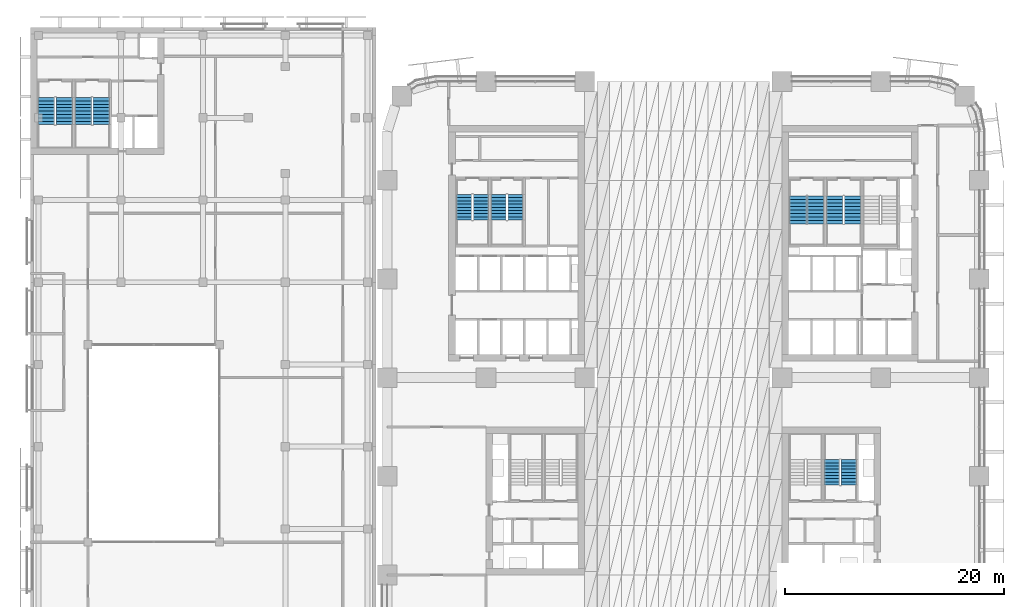
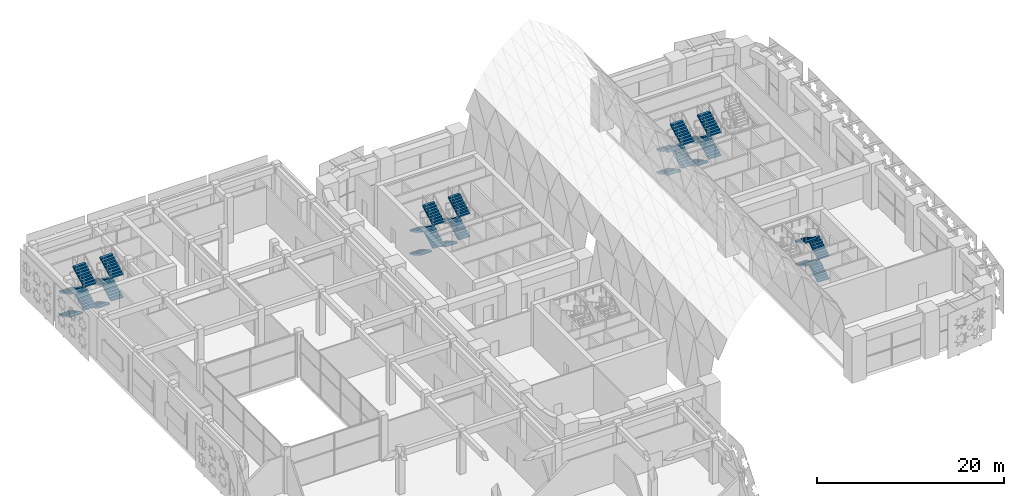
# One storey, part 24 of 46: 28 stair flights, 7 elements without a shape of their own.
"""IFC4 building model written with IfcOpenShell, lengths in metres."""

from ifc_helpers import new_model, si_unit, direction, frame, origin, place, context, subcontext, project, spatial, polyline, outline, extrude, material, type_object, element, aggregate, save


model = new_model("IFC4")

# Units and contexts
model_context = context("Model", 3, precision=1e-05, world=origin(), true_north=direction((0.0, 1.0)))
body_context = subcontext(model_context, "Body", "Model", "MODEL_VIEW")
ifc_project = project(units=[si_unit("LENGTHUNIT", "METRE"), si_unit("AREAUNIT", "SQUARE_METRE"), si_unit("VOLUMEUNIT", "CUBIC_METRE"), si_unit("PLANEANGLEUNIT", "RADIAN"), si_unit("MASSUNIT", "GRAM", prefix="KILO")], contexts=[model_context])

# Site, building, storey
site_placement = place(None, origin())
site = spatial("IfcSite", under=ifc_project, at=site_placement, CompositionType="ELEMENT")
building_placement = place(site_placement, origin())
building = spatial("IfcBuilding", under=site, at=building_placement, Name="Tessera Arch", CompositionType="ELEMENT")
storey_placement = place(building_placement, frame((0.0, 0.0, 8.0)))
storey = spatial("IfcBuildingStorey", under=building, at=storey_placement, Name="L01", CompositionType="ELEMENT", Elevation=8.0)

# Stair, stair flights
ifc_material_1 = material(Name="Concrete C40/50", Category="concrete")
stair_type_1 = type_object("IfcStairType", Name="Dogleg stair 1400", PredefinedType="HALF_TURN_STAIR", material=ifc_material_1)
stair_1_placement = place(storey_placement, origin())
stair_1 = element("IfcStair", 1, at=stair_1_placement, inside=storey, type_object=stair_type_1, Name="L01 S2a", PredefinedType="HALF_TURN_STAIR")
ifc_material_2 = material(Name="Concrete C40/50", Category="concrete")
stair_flight_type_1 = type_object("IfcStairFlightType", Name="Stair flight 1400", PredefinedType="STRAIGHT", material=ifc_material_2)
stair_flight_1_placement = place(storey_placement, frame((7.0, 43.699951171875, 0.0), z_axis=(0.0, 0.0, 1.0), x_axis=(0.0, -1.0, 0.0)))
stair_flight_1 = element("IfcStairFlight", 2, at=stair_flight_1_placement, type_object=stair_flight_type_1, Name="S2a flight 1", NumberOfRisers=9, NumberOfTreads=8, PredefinedType="STRAIGHT", RiserHeight=0.166666667, TreadLength=0.29, context=body_context, shape_type="SweptSolid", body=[
    extrude(outline(polyline([(0.0, 0.0), (0.0, 0.166748046875), (0.2900390625, 0.166748046875), (0.2900390625, 0.333251953125), (0.580078125, 0.333251953125), (0.580078125, 0.5), (0.8701171875, 0.5), (0.8701171875, 0.666748046875), (1.159912109375, 0.666748046875), (1.159912109375, 0.833251953125), (1.449951171875, 0.833251953125), (1.449951171875, 1.0), (1.739990234375, 1.0), (1.739990234375, 1.166748046875), (2.030029296875, 1.166748046875), (2.030029296875, 1.333251953125), (2.320068359375, 1.333251953125), (2.320068359375, 1.5), (2.320068359375, 1.160400390625), (0.30078125, 0.0), (0.0, 0.0)])), frame((0.0, 0.699951171875, 0.0), z_axis=(0.0, -1.0, 0.0), x_axis=(1.0, 0.0, 0.0)), (0.0, 0.0, 1.0), 1.39990234375),
])
stair_flight_2_placement = place(storey_placement, frame((8.550048828125, 41.3798828125, 1.5), z_axis=(0.0, 0.0, 1.0), x_axis=(0.0, 1.0, 0.0)))
stair_flight_2 = element("IfcStairFlight", 3, at=stair_flight_2_placement, type_object=stair_flight_type_1, Name="S2a flight 2", NumberOfRisers=9, NumberOfTreads=8, PredefinedType="STRAIGHT", RiserHeight=0.166666667, TreadLength=0.29, context=body_context, shape_type="SweptSolid", body=[
    extrude(outline(polyline([(0.0, 0.0), (0.0, 0.166748046875), (0.2900390625, 0.166748046875), (0.2900390625, 0.333251953125), (0.580078125, 0.333251953125), (0.580078125, 0.5), (0.8701171875, 0.5), (0.8701171875, 0.666748046875), (1.159912109375, 0.666748046875), (1.159912109375, 0.833251953125), (1.449951171875, 0.833251953125), (1.449951171875, 1.0), (1.739990234375, 1.0), (1.739990234375, 1.166748046875), (2.030029296875, 1.166748046875), (2.030029296875, 1.333251953125), (2.320068359375, 1.333251953125), (2.320068359375, 1.5), (2.320068359375, 1.160400390625), (0.30078125, 0.0), (0.0, 0.0)])), frame((0.0, 0.699951171875, 0.0), z_axis=(0.0, -1.0, 0.0), x_axis=(1.0, 0.0, 0.0)), (0.0, 0.0, 1.0), 1.39990234375),
])
stair_flight_3_placement = place(storey_placement, frame((7.0, 43.699951171875, 3.0), z_axis=(0.0, 0.0, 1.0), x_axis=(0.0, -1.0, 0.0)))
stair_flight_3 = element("IfcStairFlight", 4, at=stair_flight_3_placement, type_object=stair_flight_type_1, Name="S2a flight 3", NumberOfRisers=9, NumberOfTreads=8, PredefinedType="STRAIGHT", RiserHeight=0.166666667, TreadLength=0.29, context=body_context, shape_type="SweptSolid", body=[
    extrude(outline(polyline([(0.0, 0.0), (0.0, 0.166748046875), (0.2900390625, 0.166748046875), (0.2900390625, 0.333251953125), (0.580078125, 0.333251953125), (0.580078125, 0.5), (0.8701171875, 0.5), (0.8701171875, 0.666748046875), (1.159912109375, 0.666748046875), (1.159912109375, 0.833251953125), (1.449951171875, 0.833251953125), (1.449951171875, 1.0), (1.739990234375, 1.0), (1.739990234375, 1.166748046875), (2.030029296875, 1.166748046875), (2.030029296875, 1.333251953125), (2.320068359375, 1.333251953125), (2.320068359375, 1.5), (2.320068359375, 1.160400390625), (0.30078125, 0.0), (0.0, 0.0)])), frame((0.0, 0.699951171875, 0.0), z_axis=(0.0, -1.0, 0.0), x_axis=(1.0, 0.0, 0.0)), (0.0, 0.0, 1.0), 1.39990234375),
])
stair_flight_4_placement = place(storey_placement, frame((8.550048828125, 41.3798828125, 4.5), z_axis=(0.0, 0.0, 1.0), x_axis=(0.0, 1.0, 0.0)))
stair_flight_4 = element("IfcStairFlight", 5, at=stair_flight_4_placement, type_object=stair_flight_type_1, Name="S2a flight 4", NumberOfRisers=9, NumberOfTreads=8, PredefinedType="STRAIGHT", RiserHeight=0.166666667, TreadLength=0.29, context=body_context, shape_type="SweptSolid", body=[
    extrude(outline(polyline([(0.0, 0.0), (0.0, 0.166748046875), (0.2900390625, 0.166748046875), (0.2900390625, 0.333251953125), (0.580078125, 0.333251953125), (0.580078125, 0.5), (0.8701171875, 0.5), (0.8701171875, 0.666748046875), (1.159912109375, 0.666748046875), (1.159912109375, 0.833251953125), (1.449951171875, 0.833251953125), (1.449951171875, 1.0), (1.739990234375, 1.0), (1.739990234375, 1.166748046875), (2.030029296875, 1.166748046875), (2.030029296875, 1.333251953125), (2.320068359375, 1.333251953125), (2.320068359375, 1.5), (2.320068359375, 1.160400390625), (0.30078125, 0.0), (0.0, 0.0)])), frame((0.0, 0.699951171875, 0.0), z_axis=(0.0, -1.0, 0.0), x_axis=(1.0, 0.0, 0.0)), (0.0, 0.0, 1.0), 1.39990234375),
])
aggregate(stair_1, [stair_flight_1, stair_flight_2, stair_flight_3, stair_flight_4])

stair_2_placement = place(storey_placement, origin())
stair_2 = element("IfcStair", 6, at=stair_2_placement, inside=storey, type_object=stair_type_1, Name="L01 S2b", PredefinedType="HALF_TURN_STAIR")
stair_flight_5_placement = place(storey_placement, frame((10.14990234375, 43.699951171875, 0.0), z_axis=(0.0, 0.0, 1.0), x_axis=(0.0, -1.0, 0.0)))
stair_flight_5 = element("IfcStairFlight", 7, at=stair_flight_5_placement, type_object=stair_flight_type_1, Name="S2b flight 1", NumberOfRisers=9, NumberOfTreads=8, PredefinedType="STRAIGHT", RiserHeight=0.166666667, TreadLength=0.29, context=body_context, shape_type="SweptSolid", body=[
    extrude(outline(polyline([(0.0, 0.0), (0.0, 0.166748046875), (0.2900390625, 0.166748046875), (0.2900390625, 0.333251953125), (0.580078125, 0.333251953125), (0.580078125, 0.5), (0.8701171875, 0.5), (0.8701171875, 0.666748046875), (1.159912109375, 0.666748046875), (1.159912109375, 0.833251953125), (1.449951171875, 0.833251953125), (1.449951171875, 1.0), (1.739990234375, 1.0), (1.739990234375, 1.166748046875), (2.030029296875, 1.166748046875), (2.030029296875, 1.333251953125), (2.320068359375, 1.333251953125), (2.320068359375, 1.5), (2.320068359375, 1.160400390625), (0.30078125, 0.0), (0.0, 0.0)])), frame((0.0, 0.699951171875, 0.0), z_axis=(0.0, -1.0, 0.0), x_axis=(1.0, 0.0, 0.0)), (0.0, 0.0, 1.0), 1.39990234375),
])
stair_flight_6_placement = place(storey_placement, frame((11.699951171875, 41.3798828125, 1.5), z_axis=(0.0, 0.0, 1.0), x_axis=(0.0, 1.0, 0.0)))
stair_flight_6 = element("IfcStairFlight", 8, at=stair_flight_6_placement, type_object=stair_flight_type_1, Name="S2b flight 2", NumberOfRisers=9, NumberOfTreads=8, PredefinedType="STRAIGHT", RiserHeight=0.166666667, TreadLength=0.29, context=body_context, shape_type="SweptSolid", body=[
    extrude(outline(polyline([(0.0, 0.0), (0.0, 0.166748046875), (0.2900390625, 0.166748046875), (0.2900390625, 0.333251953125), (0.580078125, 0.333251953125), (0.580078125, 0.5), (0.8701171875, 0.5), (0.8701171875, 0.666748046875), (1.159912109375, 0.666748046875), (1.159912109375, 0.833251953125), (1.449951171875, 0.833251953125), (1.449951171875, 1.0), (1.739990234375, 1.0), (1.739990234375, 1.166748046875), (2.030029296875, 1.166748046875), (2.030029296875, 1.333251953125), (2.320068359375, 1.333251953125), (2.320068359375, 1.5), (2.320068359375, 1.160400390625), (0.30078125, 0.0), (0.0, 0.0)])), frame((0.0, 0.699951171875, 0.0), z_axis=(0.0, -1.0, 0.0), x_axis=(1.0, 0.0, 0.0)), (0.0, 0.0, 1.0), 1.39990234375),
])
stair_flight_7_placement = place(storey_placement, frame((10.14990234375, 43.699951171875, 3.0), z_axis=(0.0, 0.0, 1.0), x_axis=(0.0, -1.0, 0.0)))
stair_flight_7 = element("IfcStairFlight", 9, at=stair_flight_7_placement, type_object=stair_flight_type_1, Name="S2b flight 3", NumberOfRisers=9, NumberOfTreads=8, PredefinedType="STRAIGHT", RiserHeight=0.166666667, TreadLength=0.29, context=body_context, shape_type="SweptSolid", body=[
    extrude(outline(polyline([(0.0, 0.0), (0.0, 0.166748046875), (0.2900390625, 0.166748046875), (0.2900390625, 0.333251953125), (0.580078125, 0.333251953125), (0.580078125, 0.5), (0.8701171875, 0.5), (0.8701171875, 0.666748046875), (1.159912109375, 0.666748046875), (1.159912109375, 0.833251953125), (1.449951171875, 0.833251953125), (1.449951171875, 1.0), (1.739990234375, 1.0), (1.739990234375, 1.166748046875), (2.030029296875, 1.166748046875), (2.030029296875, 1.333251953125), (2.320068359375, 1.333251953125), (2.320068359375, 1.5), (2.320068359375, 1.160400390625), (0.30078125, 0.0), (0.0, 0.0)])), frame((0.0, 0.699951171875, 0.0), z_axis=(0.0, -1.0, 0.0), x_axis=(1.0, 0.0, 0.0)), (0.0, 0.0, 1.0), 1.39990234375),
])
stair_flight_8_placement = place(storey_placement, frame((11.699951171875, 41.3798828125, 4.5), z_axis=(0.0, 0.0, 1.0), x_axis=(0.0, 1.0, 0.0)))
stair_flight_8 = element("IfcStairFlight", 10, at=stair_flight_8_placement, type_object=stair_flight_type_1, Name="S2b flight 4", NumberOfRisers=9, NumberOfTreads=8, PredefinedType="STRAIGHT", RiserHeight=0.166666667, TreadLength=0.29, context=body_context, shape_type="SweptSolid", body=[
    extrude(outline(polyline([(0.0, 0.0), (0.0, 0.166748046875), (0.2900390625, 0.166748046875), (0.2900390625, 0.333251953125), (0.580078125, 0.333251953125), (0.580078125, 0.5), (0.8701171875, 0.5), (0.8701171875, 0.666748046875), (1.159912109375, 0.666748046875), (1.159912109375, 0.833251953125), (1.449951171875, 0.833251953125), (1.449951171875, 1.0), (1.739990234375, 1.0), (1.739990234375, 1.166748046875), (2.030029296875, 1.166748046875), (2.030029296875, 1.333251953125), (2.320068359375, 1.333251953125), (2.320068359375, 1.5), (2.320068359375, 1.160400390625), (0.30078125, 0.0), (0.0, 0.0)])), frame((0.0, 0.699951171875, 0.0), z_axis=(0.0, -1.0, 0.0), x_axis=(1.0, 0.0, 0.0)), (0.0, 0.0, 1.0), 1.39990234375),
])
aggregate(stair_2, [stair_flight_5, stair_flight_6, stair_flight_7, stair_flight_8])

stair_3_placement = place(storey_placement, origin())
stair_3 = element("IfcStair", 11, at=stair_3_placement, inside=storey, type_object=stair_type_1, Name="L01 S3b", PredefinedType="HALF_TURN_STAIR")
stair_flight_9_placement = place(storey_placement, frame((42.10009765625, 17.199951171875, 0.0), z_axis=(0.0, 0.0, 1.0), x_axis=(0.0, 1.0, 0.0)))
stair_flight_9 = element("IfcStairFlight", 12, at=stair_flight_9_placement, type_object=stair_flight_type_1, Name="S3b flight 1", NumberOfRisers=9, NumberOfTreads=8, PredefinedType="STRAIGHT", RiserHeight=0.166666667, TreadLength=0.29, context=body_context, shape_type="SweptSolid", body=[
    extrude(outline(polyline([(0.0, 0.0), (0.0, 0.166748046875), (0.2900390625, 0.166748046875), (0.2900390625, 0.333251953125), (0.580078125, 0.333251953125), (0.580078125, 0.5), (0.8701171875, 0.5), (0.8701171875, 0.666748046875), (1.159912109375, 0.666748046875), (1.159912109375, 0.833251953125), (1.449951171875, 0.833251953125), (1.449951171875, 1.0), (1.739990234375, 1.0), (1.739990234375, 1.166748046875), (2.030029296875, 1.166748046875), (2.030029296875, 1.333251953125), (2.320068359375, 1.333251953125), (2.320068359375, 1.5), (2.320068359375, 1.160400390625), (0.30078125, 0.0), (0.0, 0.0)])), frame((0.0, 0.699951171875, 0.0), z_axis=(0.0, -1.0, 0.0), x_axis=(1.0, 0.0, 0.0)), (0.0, 0.0, 1.0), 1.39990234375),
])
stair_flight_10_placement = place(storey_placement, frame((40.550048828125, 19.52001953125, 1.5), z_axis=(0.0, 0.0, 1.0), x_axis=(0.0, -1.0, 0.0)))
stair_flight_10 = element("IfcStairFlight", 13, at=stair_flight_10_placement, type_object=stair_flight_type_1, Name="S3b flight 2", NumberOfRisers=9, NumberOfTreads=8, PredefinedType="STRAIGHT", RiserHeight=0.166666667, TreadLength=0.29, context=body_context, shape_type="SweptSolid", body=[
    extrude(outline(polyline([(0.0, 0.0), (0.0, 0.166748046875), (0.2900390625, 0.166748046875), (0.2900390625, 0.333251953125), (0.580078125, 0.333251953125), (0.580078125, 0.5), (0.8701171875, 0.5), (0.8701171875, 0.666748046875), (1.159912109375, 0.666748046875), (1.159912109375, 0.833251953125), (1.449951171875, 0.833251953125), (1.449951171875, 1.0), (1.739990234375, 1.0), (1.739990234375, 1.166748046875), (2.030029296875, 1.166748046875), (2.030029296875, 1.333251953125), (2.320068359375, 1.333251953125), (2.320068359375, 1.5), (2.320068359375, 1.160400390625), (0.30078125, 0.0), (0.0, 0.0)])), frame((0.0, 0.699951171875, 0.0), z_axis=(0.0, -1.0, 0.0), x_axis=(1.0, 0.0, 0.0)), (0.0, 0.0, 1.0), 1.39990234375),
])
stair_flight_11_placement = place(storey_placement, frame((42.10009765625, 17.199951171875, 3.0), z_axis=(0.0, 0.0, 1.0), x_axis=(0.0, 1.0, 0.0)))
stair_flight_11 = element("IfcStairFlight", 14, at=stair_flight_11_placement, type_object=stair_flight_type_1, Name="S3b flight 3", NumberOfRisers=9, NumberOfTreads=8, PredefinedType="STRAIGHT", RiserHeight=0.166666667, TreadLength=0.29, context=body_context, shape_type="SweptSolid", body=[
    extrude(outline(polyline([(0.0, 0.0), (0.0, 0.166748046875), (0.2900390625, 0.166748046875), (0.2900390625, 0.333251953125), (0.580078125, 0.333251953125), (0.580078125, 0.5), (0.8701171875, 0.5), (0.8701171875, 0.666748046875), (1.159912109375, 0.666748046875), (1.159912109375, 0.833251953125), (1.449951171875, 0.833251953125), (1.449951171875, 1.0), (1.739990234375, 1.0), (1.739990234375, 1.166748046875), (2.030029296875, 1.166748046875), (2.030029296875, 1.333251953125), (2.320068359375, 1.333251953125), (2.320068359375, 1.5), (2.320068359375, 1.160400390625), (0.30078125, 0.0), (0.0, 0.0)])), frame((0.0, 0.699951171875, 0.0), z_axis=(0.0, -1.0, 0.0), x_axis=(1.0, 0.0, 0.0)), (0.0, 0.0, 1.0), 1.39990234375),
])
stair_flight_12_placement = place(storey_placement, frame((40.550048828125, 19.52001953125, 4.5), z_axis=(0.0, 0.0, 1.0), x_axis=(0.0, -1.0, 0.0)))
stair_flight_12 = element("IfcStairFlight", 15, at=stair_flight_12_placement, type_object=stair_flight_type_1, Name="S3b flight 4", NumberOfRisers=9, NumberOfTreads=8, PredefinedType="STRAIGHT", RiserHeight=0.166666667, TreadLength=0.29, context=body_context, shape_type="SweptSolid", body=[
    extrude(outline(polyline([(0.0, 0.0), (0.0, 0.166748046875), (0.2900390625, 0.166748046875), (0.2900390625, 0.333251953125), (0.580078125, 0.333251953125), (0.580078125, 0.5), (0.8701171875, 0.5), (0.8701171875, 0.666748046875), (1.159912109375, 0.666748046875), (1.159912109375, 0.833251953125), (1.449951171875, 0.833251953125), (1.449951171875, 1.0), (1.739990234375, 1.0), (1.739990234375, 1.166748046875), (2.030029296875, 1.166748046875), (2.030029296875, 1.333251953125), (2.320068359375, 1.333251953125), (2.320068359375, 1.5), (2.320068359375, 1.160400390625), (0.30078125, 0.0), (0.0, 0.0)])), frame((0.0, 0.699951171875, 0.0), z_axis=(0.0, -1.0, 0.0), x_axis=(1.0, 0.0, 0.0)), (0.0, 0.0, 1.0), 1.39990234375),
])
aggregate(stair_3, [stair_flight_9, stair_flight_10, stair_flight_11, stair_flight_12])

ifc_material_3 = material(Name="Concrete C40/50", Category="concrete")
stair_type_2 = type_object("IfcStairType", Name="Dogleg stair 1500", PredefinedType="HALF_TURN_STAIR", material=ifc_material_3)
stair_4_placement = place(storey_placement, origin())
stair_4 = element("IfcStair", 16, at=stair_4_placement, inside=storey, type_object=stair_type_2, Name="L01 M1a", PredefinedType="HALF_TURN_STAIR")
ifc_material_4 = material(Name="Concrete C40/50", Category="concrete")
stair_flight_type_2 = type_object("IfcStairFlightType", Name="Stair flight 1500", PredefinedType="STRAIGHT", material=ifc_material_4)
stair_flight_13_placement = place(storey_placement, frame((-31.10009765625, 52.550048828125, 0.0), z_axis=(0.0, 0.0, 1.0), x_axis=(0.0, -1.0, 0.0)))
stair_flight_13 = element("IfcStairFlight", 17, at=stair_flight_13_placement, type_object=stair_flight_type_2, Name="M1a flight 1", NumberOfRisers=9, NumberOfTreads=8, PredefinedType="STRAIGHT", RiserHeight=0.166666667, TreadLength=0.31, context=body_context, shape_type="SweptSolid", body=[
    extrude(outline(polyline([(0.0, 0.0), (0.0, 0.166748046875), (0.31005859375, 0.166748046875), (0.31005859375, 0.333251953125), (0.6201171875, 0.333251953125), (0.6201171875, 0.5), (0.929931640625, 0.5), (0.929931640625, 0.666748046875), (1.239990234375, 0.666748046875), (1.239990234375, 0.833251953125), (1.550048828125, 0.833251953125), (1.550048828125, 1.0), (1.860107421875, 1.0), (1.860107421875, 1.166748046875), (2.169921875, 1.166748046875), (2.169921875, 1.333251953125), (2.47998046875, 1.333251953125), (2.47998046875, 1.5), (2.47998046875, 1.1630859375), (0.316650390625, 0.0), (0.0, 0.0)])), frame((0.0, 0.75, 0.0), z_axis=(0.0, -1.0, 0.0), x_axis=(1.0, 0.0, 0.0)), (0.0, 0.0, 1.0), 1.5),
])
stair_flight_14_placement = place(storey_placement, frame((-29.449951171875, 50.070068359375, 1.5), z_axis=(0.0, 0.0, 1.0), x_axis=(0.0, 1.0, 0.0)))
stair_flight_14 = element("IfcStairFlight", 18, at=stair_flight_14_placement, type_object=stair_flight_type_2, Name="M1a flight 2", NumberOfRisers=9, NumberOfTreads=8, PredefinedType="STRAIGHT", RiserHeight=0.166666667, TreadLength=0.31, context=body_context, shape_type="SweptSolid", body=[
    extrude(outline(polyline([(0.0, 0.0), (0.0, 0.166748046875), (0.31005859375, 0.166748046875), (0.31005859375, 0.333251953125), (0.6201171875, 0.333251953125), (0.6201171875, 0.5), (0.929931640625, 0.5), (0.929931640625, 0.666748046875), (1.239990234375, 0.666748046875), (1.239990234375, 0.833251953125), (1.550048828125, 0.833251953125), (1.550048828125, 1.0), (1.860107421875, 1.0), (1.860107421875, 1.166748046875), (2.169921875, 1.166748046875), (2.169921875, 1.333251953125), (2.47998046875, 1.333251953125), (2.47998046875, 1.5), (2.47998046875, 1.1630859375), (0.316650390625, 0.0), (0.0, 0.0)])), frame((0.0, 0.75, 0.0), z_axis=(0.0, -1.0, 0.0), x_axis=(1.0, 0.0, 0.0)), (0.0, 0.0, 1.0), 1.5),
])
stair_flight_15_placement = place(storey_placement, frame((-31.10009765625, 52.550048828125, 3.0), z_axis=(0.0, 0.0, 1.0), x_axis=(0.0, -1.0, 0.0)))
stair_flight_15 = element("IfcStairFlight", 19, at=stair_flight_15_placement, type_object=stair_flight_type_2, Name="M1a flight 3", NumberOfRisers=9, NumberOfTreads=8, PredefinedType="STRAIGHT", RiserHeight=0.166666667, TreadLength=0.31, context=body_context, shape_type="SweptSolid", body=[
    extrude(outline(polyline([(0.0, 0.0), (0.0, 0.166748046875), (0.31005859375, 0.166748046875), (0.31005859375, 0.333251953125), (0.6201171875, 0.333251953125), (0.6201171875, 0.5), (0.929931640625, 0.5), (0.929931640625, 0.666748046875), (1.239990234375, 0.666748046875), (1.239990234375, 0.833251953125), (1.550048828125, 0.833251953125), (1.550048828125, 1.0), (1.860107421875, 1.0), (1.860107421875, 1.166748046875), (2.169921875, 1.166748046875), (2.169921875, 1.333251953125), (2.47998046875, 1.333251953125), (2.47998046875, 1.5), (2.47998046875, 1.1630859375), (0.316650390625, 0.0), (0.0, 0.0)])), frame((0.0, 0.75, 0.0), z_axis=(0.0, -1.0, 0.0), x_axis=(1.0, 0.0, 0.0)), (0.0, 0.0, 1.0), 1.5),
])
stair_flight_16_placement = place(storey_placement, frame((-29.449951171875, 50.070068359375, 4.5), z_axis=(0.0, 0.0, 1.0), x_axis=(0.0, 1.0, 0.0)))
stair_flight_16 = element("IfcStairFlight", 20, at=stair_flight_16_placement, type_object=stair_flight_type_2, Name="M1a flight 4", NumberOfRisers=9, NumberOfTreads=8, PredefinedType="STRAIGHT", RiserHeight=0.166666667, TreadLength=0.31, context=body_context, shape_type="SweptSolid", body=[
    extrude(outline(polyline([(0.0, 0.0), (0.0, 0.166748046875), (0.31005859375, 0.166748046875), (0.31005859375, 0.333251953125), (0.6201171875, 0.333251953125), (0.6201171875, 0.5), (0.929931640625, 0.5), (0.929931640625, 0.666748046875), (1.239990234375, 0.666748046875), (1.239990234375, 0.833251953125), (1.550048828125, 0.833251953125), (1.550048828125, 1.0), (1.860107421875, 1.0), (1.860107421875, 1.166748046875), (2.169921875, 1.166748046875), (2.169921875, 1.333251953125), (2.47998046875, 1.333251953125), (2.47998046875, 1.5), (2.47998046875, 1.1630859375), (0.316650390625, 0.0), (0.0, 0.0)])), frame((0.0, 0.75, 0.0), z_axis=(0.0, -1.0, 0.0), x_axis=(1.0, 0.0, 0.0)), (0.0, 0.0, 1.0), 1.5),
])
aggregate(stair_4, [stair_flight_13, stair_flight_14, stair_flight_15, stair_flight_16])

stair_5_placement = place(storey_placement, origin())
stair_5 = element("IfcStair", 21, at=stair_5_placement, inside=storey, type_object=stair_type_2, Name="L01 M1b", PredefinedType="HALF_TURN_STAIR")
stair_flight_17_placement = place(storey_placement, frame((-27.75, 52.550048828125, 0.0), z_axis=(0.0, 0.0, 1.0), x_axis=(0.0, -1.0, 0.0)))
stair_flight_17 = element("IfcStairFlight", 22, at=stair_flight_17_placement, type_object=stair_flight_type_2, Name="M1b flight 1", NumberOfRisers=9, NumberOfTreads=8, PredefinedType="STRAIGHT", RiserHeight=0.166666667, TreadLength=0.31, context=body_context, shape_type="SweptSolid", body=[
    extrude(outline(polyline([(0.0, 0.0), (0.0, 0.166748046875), (0.31005859375, 0.166748046875), (0.31005859375, 0.333251953125), (0.6201171875, 0.333251953125), (0.6201171875, 0.5), (0.929931640625, 0.5), (0.929931640625, 0.666748046875), (1.239990234375, 0.666748046875), (1.239990234375, 0.833251953125), (1.550048828125, 0.833251953125), (1.550048828125, 1.0), (1.860107421875, 1.0), (1.860107421875, 1.166748046875), (2.169921875, 1.166748046875), (2.169921875, 1.333251953125), (2.47998046875, 1.333251953125), (2.47998046875, 1.5), (2.47998046875, 1.1630859375), (0.316650390625, 0.0), (0.0, 0.0)])), frame((0.0, 0.75, 0.0), z_axis=(0.0, -1.0, 0.0), x_axis=(1.0, 0.0, 0.0)), (0.0, 0.0, 1.0), 1.5),
])
stair_flight_18_placement = place(storey_placement, frame((-26.10009765625, 50.070068359375, 1.5), z_axis=(0.0, 0.0, 1.0), x_axis=(0.0, 1.0, 0.0)))
stair_flight_18 = element("IfcStairFlight", 23, at=stair_flight_18_placement, type_object=stair_flight_type_2, Name="M1b flight 2", NumberOfRisers=9, NumberOfTreads=8, PredefinedType="STRAIGHT", RiserHeight=0.166666667, TreadLength=0.31, context=body_context, shape_type="SweptSolid", body=[
    extrude(outline(polyline([(0.0, 0.0), (0.0, 0.166748046875), (0.31005859375, 0.166748046875), (0.31005859375, 0.333251953125), (0.6201171875, 0.333251953125), (0.6201171875, 0.5), (0.929931640625, 0.5), (0.929931640625, 0.666748046875), (1.239990234375, 0.666748046875), (1.239990234375, 0.833251953125), (1.550048828125, 0.833251953125), (1.550048828125, 1.0), (1.860107421875, 1.0), (1.860107421875, 1.166748046875), (2.169921875, 1.166748046875), (2.169921875, 1.333251953125), (2.47998046875, 1.333251953125), (2.47998046875, 1.5), (2.47998046875, 1.1630859375), (0.316650390625, 0.0), (0.0, 0.0)])), frame((0.0, 0.75, 0.0), z_axis=(0.0, -1.0, 0.0), x_axis=(1.0, 0.0, 0.0)), (0.0, 0.0, 1.0), 1.5),
])
stair_flight_19_placement = place(storey_placement, frame((-27.75, 52.550048828125, 3.0), z_axis=(0.0, 0.0, 1.0), x_axis=(0.0, -1.0, 0.0)))
stair_flight_19 = element("IfcStairFlight", 24, at=stair_flight_19_placement, type_object=stair_flight_type_2, Name="M1b flight 3", NumberOfRisers=9, NumberOfTreads=8, PredefinedType="STRAIGHT", RiserHeight=0.166666667, TreadLength=0.31, context=body_context, shape_type="SweptSolid", body=[
    extrude(outline(polyline([(0.0, 0.0), (0.0, 0.166748046875), (0.31005859375, 0.166748046875), (0.31005859375, 0.333251953125), (0.6201171875, 0.333251953125), (0.6201171875, 0.5), (0.929931640625, 0.5), (0.929931640625, 0.666748046875), (1.239990234375, 0.666748046875), (1.239990234375, 0.833251953125), (1.550048828125, 0.833251953125), (1.550048828125, 1.0), (1.860107421875, 1.0), (1.860107421875, 1.166748046875), (2.169921875, 1.166748046875), (2.169921875, 1.333251953125), (2.47998046875, 1.333251953125), (2.47998046875, 1.5), (2.47998046875, 1.1630859375), (0.316650390625, 0.0), (0.0, 0.0)])), frame((0.0, 0.75, 0.0), z_axis=(0.0, -1.0, 0.0), x_axis=(1.0, 0.0, 0.0)), (0.0, 0.0, 1.0), 1.5),
])
stair_flight_20_placement = place(storey_placement, frame((-26.10009765625, 50.070068359375, 4.5), z_axis=(0.0, 0.0, 1.0), x_axis=(0.0, 1.0, 0.0)))
stair_flight_20 = element("IfcStairFlight", 25, at=stair_flight_20_placement, type_object=stair_flight_type_2, Name="M1b flight 4", NumberOfRisers=9, NumberOfTreads=8, PredefinedType="STRAIGHT", RiserHeight=0.166666667, TreadLength=0.31, context=body_context, shape_type="SweptSolid", body=[
    extrude(outline(polyline([(0.0, 0.0), (0.0, 0.166748046875), (0.31005859375, 0.166748046875), (0.31005859375, 0.333251953125), (0.6201171875, 0.333251953125), (0.6201171875, 0.5), (0.929931640625, 0.5), (0.929931640625, 0.666748046875), (1.239990234375, 0.666748046875), (1.239990234375, 0.833251953125), (1.550048828125, 0.833251953125), (1.550048828125, 1.0), (1.860107421875, 1.0), (1.860107421875, 1.166748046875), (2.169921875, 1.166748046875), (2.169921875, 1.333251953125), (2.47998046875, 1.333251953125), (2.47998046875, 1.5), (2.47998046875, 1.1630859375), (0.316650390625, 0.0), (0.0, 0.0)])), frame((0.0, 0.75, 0.0), z_axis=(0.0, -1.0, 0.0), x_axis=(1.0, 0.0, 0.0)), (0.0, 0.0, 1.0), 1.5),
])
aggregate(stair_5, [stair_flight_17, stair_flight_18, stair_flight_19, stair_flight_20])

ifc_material_5 = material(Name="Concrete C40/50", Category="concrete")
stair_type_3 = type_object("IfcStairType", Name="Dogleg stair 1520", PredefinedType="HALF_TURN_STAIR", material=ifc_material_5)
stair_6_placement = place(storey_placement, origin())
stair_6 = element("IfcStair", 26, at=stair_6_placement, inside=storey, type_object=stair_type_3, Name="L01 S1a", PredefinedType="HALF_TURN_STAIR")
ifc_material_6 = material(Name="Concrete C40/50", Category="concrete")
stair_flight_type_3 = type_object("IfcStairFlightType", Name="Stair flight 1520", PredefinedType="STRAIGHT", material=ifc_material_6)
stair_flight_21_placement = place(storey_placement, frame((37.4599609375, 43.580078125, 0.0), z_axis=(0.0, 0.0, 1.0), x_axis=(0.0, -1.0, 0.0)))
stair_flight_21 = element("IfcStairFlight", 27, at=stair_flight_21_placement, type_object=stair_flight_type_3, Name="S1a flight 1", NumberOfRisers=9, NumberOfTreads=8, PredefinedType="STRAIGHT", RiserHeight=0.166666667, TreadLength=0.32, context=body_context, shape_type="SweptSolid", body=[
    extrude(outline(polyline([(0.0, 0.0), (0.0, 0.166748046875), (0.320068359375, 0.166748046875), (0.320068359375, 0.333251953125), (0.639892578125, 0.333251953125), (0.639892578125, 0.5), (0.9599609375, 0.5), (0.9599609375, 0.666748046875), (1.280029296875, 0.666748046875), (1.280029296875, 0.833251953125), (1.60009765625, 0.833251953125), (1.60009765625, 1.0), (1.919921875, 1.0), (1.919921875, 1.166748046875), (2.239990234375, 1.166748046875), (2.239990234375, 1.333251953125), (2.56005859375, 1.333251953125), (2.56005859375, 1.5), (2.56005859375, 1.164306640625), (0.324462890625, 0.0), (0.0, 0.0)])), frame((0.0, 0.760009765625, 0.0), z_axis=(0.0, -1.0, 0.0), x_axis=(1.0, 0.0, 0.0)), (0.0, 0.0, 1.0), 1.52001953125),
])
stair_flight_22_placement = place(storey_placement, frame((39.090087890625, 41.02001953125, 1.5), z_axis=(0.0, 0.0, 1.0), x_axis=(0.0, 1.0, 0.0)))
stair_flight_22 = element("IfcStairFlight", 28, at=stair_flight_22_placement, type_object=stair_flight_type_3, Name="S1a flight 2", NumberOfRisers=9, NumberOfTreads=8, PredefinedType="STRAIGHT", RiserHeight=0.166666667, TreadLength=0.32, context=body_context, shape_type="SweptSolid", body=[
    extrude(outline(polyline([(0.0, 0.0), (0.0, 0.166748046875), (0.320068359375, 0.166748046875), (0.320068359375, 0.333251953125), (0.639892578125, 0.333251953125), (0.639892578125, 0.5), (0.9599609375, 0.5), (0.9599609375, 0.666748046875), (1.280029296875, 0.666748046875), (1.280029296875, 0.833251953125), (1.60009765625, 0.833251953125), (1.60009765625, 1.0), (1.919921875, 1.0), (1.919921875, 1.166748046875), (2.239990234375, 1.166748046875), (2.239990234375, 1.333251953125), (2.56005859375, 1.333251953125), (2.56005859375, 1.5), (2.56005859375, 1.164306640625), (0.324462890625, 0.0), (0.0, 0.0)])), frame((0.0, 0.760009765625, 0.0), z_axis=(0.0, -1.0, 0.0), x_axis=(1.0, 0.0, 0.0)), (0.0, 0.0, 1.0), 1.52001953125),
])
stair_flight_23_placement = place(storey_placement, frame((37.4599609375, 43.580078125, 3.0), z_axis=(0.0, 0.0, 1.0), x_axis=(0.0, -1.0, 0.0)))
stair_flight_23 = element("IfcStairFlight", 29, at=stair_flight_23_placement, type_object=stair_flight_type_3, Name="S1a flight 3", NumberOfRisers=9, NumberOfTreads=8, PredefinedType="STRAIGHT", RiserHeight=0.166666667, TreadLength=0.32, context=body_context, shape_type="SweptSolid", body=[
    extrude(outline(polyline([(0.0, 0.0), (0.0, 0.166748046875), (0.320068359375, 0.166748046875), (0.320068359375, 0.333251953125), (0.639892578125, 0.333251953125), (0.639892578125, 0.5), (0.9599609375, 0.5), (0.9599609375, 0.666748046875), (1.280029296875, 0.666748046875), (1.280029296875, 0.833251953125), (1.60009765625, 0.833251953125), (1.60009765625, 1.0), (1.919921875, 1.0), (1.919921875, 1.166748046875), (2.239990234375, 1.166748046875), (2.239990234375, 1.333251953125), (2.56005859375, 1.333251953125), (2.56005859375, 1.5), (2.56005859375, 1.164306640625), (0.324462890625, 0.0), (0.0, 0.0)])), frame((0.0, 0.760009765625, 0.0), z_axis=(0.0, -1.0, 0.0), x_axis=(1.0, 0.0, 0.0)), (0.0, 0.0, 1.0), 1.52001953125),
])
stair_flight_24_placement = place(storey_placement, frame((39.090087890625, 41.02001953125, 4.5), z_axis=(0.0, 0.0, 1.0), x_axis=(0.0, 1.0, 0.0)))
stair_flight_24 = element("IfcStairFlight", 30, at=stair_flight_24_placement, type_object=stair_flight_type_3, Name="S1a flight 4", NumberOfRisers=9, NumberOfTreads=8, PredefinedType="STRAIGHT", RiserHeight=0.166666667, TreadLength=0.32, context=body_context, shape_type="SweptSolid", body=[
    extrude(outline(polyline([(0.0, 0.0), (0.0, 0.166748046875), (0.320068359375, 0.166748046875), (0.320068359375, 0.333251953125), (0.639892578125, 0.333251953125), (0.639892578125, 0.5), (0.9599609375, 0.5), (0.9599609375, 0.666748046875), (1.280029296875, 0.666748046875), (1.280029296875, 0.833251953125), (1.60009765625, 0.833251953125), (1.60009765625, 1.0), (1.919921875, 1.0), (1.919921875, 1.166748046875), (2.239990234375, 1.166748046875), (2.239990234375, 1.333251953125), (2.56005859375, 1.333251953125), (2.56005859375, 1.5), (2.56005859375, 1.164306640625), (0.324462890625, 0.0), (0.0, 0.0)])), frame((0.0, 0.760009765625, 0.0), z_axis=(0.0, -1.0, 0.0), x_axis=(1.0, 0.0, 0.0)), (0.0, 0.0, 1.0), 1.52001953125),
])
aggregate(stair_6, [stair_flight_21, stair_flight_22, stair_flight_23, stair_flight_24])

stair_7_placement = place(storey_placement, origin())
stair_7 = element("IfcStair", 31, at=stair_7_placement, inside=storey, type_object=stair_type_3, Name="L01 S1b", PredefinedType="HALF_TURN_STAIR")
stair_flight_25_placement = place(storey_placement, frame((40.81005859375, 43.580078125, 0.0), z_axis=(0.0, 0.0, 1.0), x_axis=(0.0, -1.0, 0.0)))
stair_flight_25 = element("IfcStairFlight", 32, at=stair_flight_25_placement, type_object=stair_flight_type_3, Name="S1b flight 1", NumberOfRisers=9, NumberOfTreads=8, PredefinedType="STRAIGHT", RiserHeight=0.166666667, TreadLength=0.32, context=body_context, shape_type="SweptSolid", body=[
    extrude(outline(polyline([(0.0, 0.0), (0.0, 0.166748046875), (0.320068359375, 0.166748046875), (0.320068359375, 0.333251953125), (0.639892578125, 0.333251953125), (0.639892578125, 0.5), (0.9599609375, 0.5), (0.9599609375, 0.666748046875), (1.280029296875, 0.666748046875), (1.280029296875, 0.833251953125), (1.60009765625, 0.833251953125), (1.60009765625, 1.0), (1.919921875, 1.0), (1.919921875, 1.166748046875), (2.239990234375, 1.166748046875), (2.239990234375, 1.333251953125), (2.56005859375, 1.333251953125), (2.56005859375, 1.5), (2.56005859375, 1.164306640625), (0.324462890625, 0.0), (0.0, 0.0)])), frame((0.0, 0.760009765625, 0.0), z_axis=(0.0, -1.0, 0.0), x_axis=(1.0, 0.0, 0.0)), (0.0, 0.0, 1.0), 1.52001953125),
])
stair_flight_26_placement = place(storey_placement, frame((42.43994140625, 41.02001953125, 1.5), z_axis=(0.0, 0.0, 1.0), x_axis=(0.0, 1.0, 0.0)))
stair_flight_26 = element("IfcStairFlight", 33, at=stair_flight_26_placement, type_object=stair_flight_type_3, Name="S1b flight 2", NumberOfRisers=9, NumberOfTreads=8, PredefinedType="STRAIGHT", RiserHeight=0.166666667, TreadLength=0.32, context=body_context, shape_type="SweptSolid", body=[
    extrude(outline(polyline([(0.0, 0.0), (0.0, 0.166748046875), (0.320068359375, 0.166748046875), (0.320068359375, 0.333251953125), (0.639892578125, 0.333251953125), (0.639892578125, 0.5), (0.9599609375, 0.5), (0.9599609375, 0.666748046875), (1.280029296875, 0.666748046875), (1.280029296875, 0.833251953125), (1.60009765625, 0.833251953125), (1.60009765625, 1.0), (1.919921875, 1.0), (1.919921875, 1.166748046875), (2.239990234375, 1.166748046875), (2.239990234375, 1.333251953125), (2.56005859375, 1.333251953125), (2.56005859375, 1.5), (2.56005859375, 1.164306640625), (0.324462890625, 0.0), (0.0, 0.0)])), frame((0.0, 0.760009765625, 0.0), z_axis=(0.0, -1.0, 0.0), x_axis=(1.0, 0.0, 0.0)), (0.0, 0.0, 1.0), 1.52001953125),
])
stair_flight_27_placement = place(storey_placement, frame((40.81005859375, 43.580078125, 3.0), z_axis=(0.0, 0.0, 1.0), x_axis=(0.0, -1.0, 0.0)))
stair_flight_27 = element("IfcStairFlight", 34, at=stair_flight_27_placement, type_object=stair_flight_type_3, Name="S1b flight 3", NumberOfRisers=9, NumberOfTreads=8, PredefinedType="STRAIGHT", RiserHeight=0.166666667, TreadLength=0.32, context=body_context, shape_type="SweptSolid", body=[
    extrude(outline(polyline([(0.0, 0.0), (0.0, 0.166748046875), (0.320068359375, 0.166748046875), (0.320068359375, 0.333251953125), (0.639892578125, 0.333251953125), (0.639892578125, 0.5), (0.9599609375, 0.5), (0.9599609375, 0.666748046875), (1.280029296875, 0.666748046875), (1.280029296875, 0.833251953125), (1.60009765625, 0.833251953125), (1.60009765625, 1.0), (1.919921875, 1.0), (1.919921875, 1.166748046875), (2.239990234375, 1.166748046875), (2.239990234375, 1.333251953125), (2.56005859375, 1.333251953125), (2.56005859375, 1.5), (2.56005859375, 1.164306640625), (0.324462890625, 0.0), (0.0, 0.0)])), frame((0.0, 0.760009765625, 0.0), z_axis=(0.0, -1.0, 0.0), x_axis=(1.0, 0.0, 0.0)), (0.0, 0.0, 1.0), 1.52001953125),
])
stair_flight_28_placement = place(storey_placement, frame((42.43994140625, 41.02001953125, 4.5), z_axis=(0.0, 0.0, 1.0), x_axis=(0.0, 1.0, 0.0)))
stair_flight_28 = element("IfcStairFlight", 35, at=stair_flight_28_placement, type_object=stair_flight_type_3, Name="S1b flight 4", NumberOfRisers=9, NumberOfTreads=8, PredefinedType="STRAIGHT", RiserHeight=0.166666667, TreadLength=0.32, context=body_context, shape_type="SweptSolid", body=[
    extrude(outline(polyline([(0.0, 0.0), (0.0, 0.166748046875), (0.320068359375, 0.166748046875), (0.320068359375, 0.333251953125), (0.639892578125, 0.333251953125), (0.639892578125, 0.5), (0.9599609375, 0.5), (0.9599609375, 0.666748046875), (1.280029296875, 0.666748046875), (1.280029296875, 0.833251953125), (1.60009765625, 0.833251953125), (1.60009765625, 1.0), (1.919921875, 1.0), (1.919921875, 1.166748046875), (2.239990234375, 1.166748046875), (2.239990234375, 1.333251953125), (2.56005859375, 1.333251953125), (2.56005859375, 1.5), (2.56005859375, 1.164306640625), (0.324462890625, 0.0), (0.0, 0.0)])), frame((0.0, 0.760009765625, 0.0), z_axis=(0.0, -1.0, 0.0), x_axis=(1.0, 0.0, 0.0)), (0.0, 0.0, 1.0), 1.52001953125),
])
aggregate(stair_7, [stair_flight_25, stair_flight_26, stair_flight_27, stair_flight_28])

save(model, "model.ifc")
